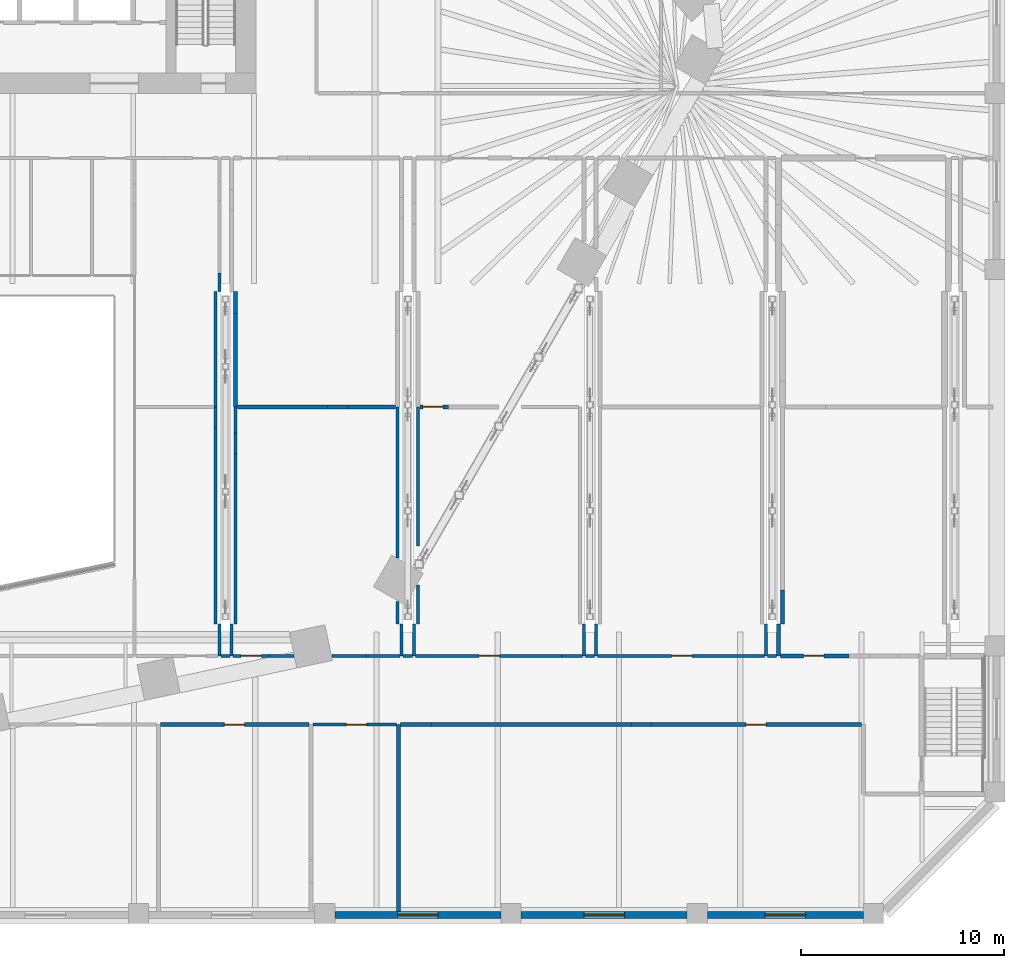
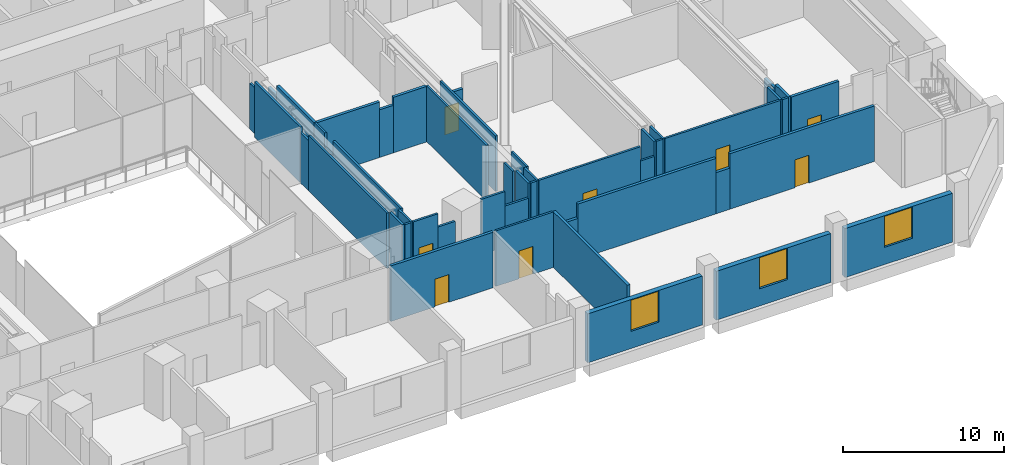
# One storey, part 19 of 32: 48 walls, 8 doors, 3 windows, 11 openings.
"""IFC4 building model written with IfcOpenShell, lengths in metres."""

from ifc_helpers import new_model, si_unit, direction, frame, frame_2d, origin, place, context, subcontext, project, spatial, rectangle, extrude, material, layer, layer_set, type_object, element, fill, save


model = new_model("IFC4")

# Units and contexts
model_context = context("Model", 3, precision=1e-05, world=origin(), true_north=direction((0.0, 1.0)))
body_context = subcontext(model_context, "Body", "Model", "MODEL_VIEW")
ifc_project = project(units=[si_unit("LENGTHUNIT", "METRE"), si_unit("AREAUNIT", "SQUARE_METRE"), si_unit("VOLUMEUNIT", "CUBIC_METRE"), si_unit("PLANEANGLEUNIT", "RADIAN"), si_unit("MASSUNIT", "GRAM", prefix="KILO")], contexts=[model_context])

# Site, building, storey
site_placement = place(None, origin())
site = spatial("IfcSite", under=ifc_project, at=site_placement, CompositionType="ELEMENT")
building_placement = place(site_placement, origin())
building = spatial("IfcBuilding", under=site, at=building_placement, Name="Isthmus Gate Tower", CompositionType="ELEMENT")
storey_placement = place(building_placement, frame((0.0, 0.0, 18.0)))
storey = spatial("IfcBuildingStorey", under=building, at=storey_placement, Name="L02", CompositionType="ELEMENT", Elevation=18.0)

# Wall, opening, door
ifc_material_1 = material(Name="Concrete f'c 30 MPa", Category="concrete")
ifc_layer_1 = layer(ifc_material_1, 0.199951171875)
ifc_layer_set_1 = layer_set([ifc_layer_1], Name="Fire-rated block wall 200")
wall_type_1 = type_object("IfcWallType", Name="Fire-rated block wall 200", PredefinedType="PARTITIONING", material=ifc_layer_set_1)
wall_1_placement = place(storey_placement, frame((10.2919921875, -31.178955078125, 0.0), z_axis=(0.0, 0.0, 1.0), x_axis=(1.0, 0.0, 0.0)))
wall_1 = element("IfcWall", 1, at=wall_1_placement, inside=storey, type_object=wall_type_1, Name="Fire-rated wall", PredefinedType="PARTITIONING", context=body_context, shape_type="SweptSolid", body=[
    extrude(rectangle(XDim=7.322021484375, YDim=0.199951171875, at=frame_2d((3.6611328125, 0.0))), origin(), (0.0, 0.0, 1.0), 4.199951171875),
])
opening_1_placement = place(wall_1_placement, frame((3.14990234375, 0.0, 0.0)))
opening_1 = element("IfcOpeningElement", 2, at=opening_1_placement, cuts=wall_1, Name="Opening DP02-56", PredefinedType="OPENING", context=body_context, shape_type="SweptSolid", body=[
    extrude(rectangle(XDim=1.0, YDim=2.10009765625, at=frame_2d((0.5, 1.050048828125))), frame((0.0, 0.10986328125, 0.0), z_axis=(0.0, -1.0, 0.0), x_axis=(1.0, 0.0, 0.0)), (0.0, 0.0, 1.0), 0.219970703125),
])
ifc_material_2 = material(Name="Steel fire door with intumescent seals", Category="steel")
door_type_1 = type_object("IfcDoorType", Name="Fire door 1000 x 2100", OperationType="SINGLE_SWING_LEFT", PredefinedType="DOOR", material=ifc_material_2)
door_1_placement = place(opening_1_placement, origin())
door_1 = element("IfcDoor", 3, at=door_1_placement, inside=storey, type_object=door_type_1, Name="Door DP02-56", OperationType="SINGLE_SWING_LEFT", OverallHeight=2.10009765625, OverallWidth=1.0, PredefinedType="DOOR", context=body_context, shape_type="SweptSolid", body=[
    extrude(rectangle(XDim=1.0, YDim=2.10009765625, at=frame_2d((0.5, 1.050048828125))), frame((0.0, 0.02490234375, 0.0), z_axis=(0.0, -1.0, 0.0), x_axis=(1.0, 0.0, 0.0)), (0.0, 0.0, 1.0), 0.050048828125),
])
fill(opening_1, door_1)

# Walls
wall_2_placement = place(storey_placement, frame((22.132080078125, -31.178955078125, 0.0), z_axis=(0.0, 0.0, 1.0), x_axis=(1.0, 0.0, 0.0)))
element("IfcWall", 4, at=wall_2_placement, inside=storey, type_object=wall_type_1, Name="Fire-rated wall", PredefinedType="PARTITIONING", context=body_context, shape_type="SweptSolid", body=[
    extrude(rectangle(XDim=1.536865234375, YDim=0.199951171875, at=frame_2d((0.7685546875, 0.0))), origin(), (0.0, 0.0, 1.0), 3.111083984375),
])
wall_3_placement = place(storey_placement, frame((23.6689453125, -31.178955078125, 0.0), z_axis=(0.0, 0.0, 1.0), x_axis=(1.0, 0.0, 0.0)))
element("IfcWall", 5, at=wall_3_placement, inside=storey, type_object=wall_type_1, Name="Fire-rated wall", PredefinedType="PARTITIONING", context=body_context, shape_type="SweptSolid", body=[
    extrude(rectangle(XDim=9.872802734375, YDim=0.199951171875, at=frame_2d((4.9365234375, 0.0))), origin(), (0.0, 0.0, 1.0), 4.199951171875),
])
wall_4_placement = place(storey_placement, frame((33.541748046875, -31.178955078125, 0.0), z_axis=(0.0, 0.0, 1.0), x_axis=(1.0, 0.0, 0.0)))
element("IfcWall", 6, at=wall_4_placement, inside=storey, type_object=wall_type_1, Name="Fire-rated wall", PredefinedType="PARTITIONING", context=body_context, shape_type="SweptSolid", body=[
    extrude(rectangle(XDim=1.0, YDim=0.199951171875, at=frame_2d((0.5, 0.0))), origin(), (0.0, 0.0, 1.0), 3.111083984375),
])

# Wall, opening, door
wall_5_placement = place(storey_placement, frame((34.541748046875, -31.178955078125, 0.0), z_axis=(0.0, 0.0, 1.0), x_axis=(1.0, 0.0, 0.0)))
wall_5 = element("IfcWall", 7, at=wall_5_placement, inside=storey, type_object=wall_type_1, Name="Fire-rated wall", PredefinedType="PARTITIONING", context=body_context, shape_type="SweptSolid", body=[
    extrude(rectangle(XDim=10.358154296875, YDim=0.199951171875, at=frame_2d((5.17919921875, 0.0))), origin(), (0.0, 0.0, 1.0), 4.199951171875),
])
opening_2_placement = place(wall_5_placement, frame((4.64990234375, 0.0, 0.0)))
opening_2 = element("IfcOpeningElement", 8, at=opening_2_placement, cuts=wall_5, Name="Opening DP02-58", PredefinedType="OPENING", context=body_context, shape_type="SweptSolid", body=[
    extrude(rectangle(XDim=1.0, YDim=2.10009765625, at=frame_2d((0.5, 1.050048828125))), frame((0.0, 0.10986328125, 0.0), z_axis=(0.0, -1.0, 0.0), x_axis=(1.0, 0.0, 0.0)), (0.0, 0.0, 1.0), 0.219970703125),
])
door_2_placement = place(opening_2_placement, origin())
door_2 = element("IfcDoor", 9, at=door_2_placement, inside=storey, type_object=door_type_1, Name="Door DP02-58", OperationType="SINGLE_SWING_LEFT", OverallHeight=2.10009765625, OverallWidth=1.0, PredefinedType="DOOR", context=body_context, shape_type="SweptSolid", body=[
    extrude(rectangle(XDim=1.0, YDim=2.10009765625, at=frame_2d((0.5, 1.050048828125))), frame((0.0, 0.02490234375, 0.0), z_axis=(0.0, -1.0, 0.0), x_axis=(1.0, 0.0, 0.0)), (0.0, 0.0, 1.0), 0.050048828125),
])
fill(opening_2, door_2)

wall_6_placement = place(storey_placement, frame((40.89990234375, -27.779052734375, 0.0), z_axis=(0.0, 0.0, 1.0), x_axis=(1.0, 0.0, 0.0)))
wall_6 = element("IfcWall", 10, at=wall_6_placement, inside=storey, type_object=wall_type_1, Name="Fire-rated wall", PredefinedType="PARTITIONING", context=body_context, shape_type="SweptSolid", body=[
    extrude(rectangle(XDim=3.39990234375, YDim=0.199951171875, at=frame_2d((1.699951171875, 0.0))), origin(), (0.0, 0.0, 1.0), 4.199951171875),
])
opening_3_placement = place(wall_6_placement, frame((1.14990234375, 0.0, 0.0)))
opening_3 = element("IfcOpeningElement", 11, at=opening_3_placement, cuts=wall_6, Name="Opening DP02-35", PredefinedType="OPENING", context=body_context, shape_type="SweptSolid", body=[
    extrude(rectangle(XDim=1.0, YDim=2.10009765625, at=frame_2d((0.5, 1.050048828125))), frame((0.0, 0.10986328125, 0.0), z_axis=(0.0, -1.0, 0.0), x_axis=(1.0, 0.0, 0.0)), (0.0, 0.0, 1.0), 0.219970703125),
])
door_3_placement = place(opening_3_placement, origin())
door_3 = element("IfcDoor", 12, at=door_3_placement, inside=storey, type_object=door_type_1, Name="Door DP02-35", OperationType="SINGLE_SWING_LEFT", OverallHeight=2.10009765625, OverallWidth=1.0, PredefinedType="DOOR", context=body_context, shape_type="SweptSolid", body=[
    extrude(rectangle(XDim=1.0, YDim=2.10009765625, at=frame_2d((0.5, 1.050048828125))), frame((0.0, 0.02490234375, 0.0), z_axis=(0.0, -1.0, 0.0), x_axis=(1.0, 0.0, 0.0)), (0.0, 0.0, 1.0), 0.050048828125),
])
fill(opening_3, door_3)

# Walls
wall_7_placement = place(storey_placement, frame((14.10009765625, -15.489013671875, 0.0), z_axis=(0.0, 0.0, 1.0), x_axis=(1.0, 0.0, 0.0)))
element("IfcWall", 13, at=wall_7_placement, inside=storey, type_object=wall_type_1, Name="Fire-rated wall", PredefinedType="PARTITIONING", context=body_context, shape_type="SweptSolid", body=[
    extrude(rectangle(XDim=4.4404296875, YDim=0.199951171875, at=frame_2d((2.22021484375, 0.0))), origin(), (0.0, 0.0, 1.0), 4.199951171875),
])
wall_8_placement = place(storey_placement, frame((18.54052734375, -15.489013671875, 0.0), z_axis=(0.0, 0.0, 1.0), x_axis=(1.0, 0.0, 0.0)))
element("IfcWall", 14, at=wall_8_placement, inside=storey, type_object=wall_type_1, Name="Fire-rated wall", PredefinedType="PARTITIONING", context=body_context, shape_type="SweptSolid", body=[
    extrude(rectangle(XDim=1.0, YDim=0.199951171875, at=frame_2d((0.5, 0.0))), origin(), (0.0, 0.0, 1.0), 3.599853515625),
])
wall_9_placement = place(storey_placement, frame((19.54052734375, -15.489013671875, 0.0), z_axis=(0.0, 0.0, 1.0), x_axis=(1.0, 0.0, 0.0)))
element("IfcWall", 15, at=wall_9_placement, inside=storey, type_object=wall_type_1, Name="Fire-rated wall", PredefinedType="PARTITIONING", context=body_context, shape_type="SweptSolid", body=[
    extrude(rectangle(XDim=2.359375, YDim=0.199951171875, at=frame_2d((1.1796875, 0.0))), origin(), (0.0, 0.0, 1.0), 4.199951171875),
])

# Wall, opening, door
wall_10_placement = place(storey_placement, frame((23.10009765625, -15.489013671875, 0.0), z_axis=(0.0, 0.0, 1.0), x_axis=(1.0, 0.0, 0.0)))
wall_10 = element("IfcWall", 16, at=wall_10_placement, inside=storey, type_object=wall_type_1, Name="Fire-rated wall", PredefinedType="PARTITIONING", context=body_context, shape_type="SweptSolid", body=[
    extrude(rectangle(XDim=1.39990234375, YDim=0.199951171875, at=frame_2d((0.699951171875, 0.0))), origin(), (0.0, 0.0, 1.0), 3.111083984375),
])
opening_4_placement = place(wall_10_placement, frame((0.14990234375, 0.0, 0.0)))
opening_4 = element("IfcOpeningElement", 17, at=opening_4_placement, cuts=wall_10, Name="Opening DP02-61", PredefinedType="OPENING", context=body_context, shape_type="SweptSolid", body=[
    extrude(rectangle(XDim=1.0, YDim=2.10009765625, at=frame_2d((0.5, 1.050048828125))), frame((0.0, 0.10986328125, 0.0), z_axis=(0.0, -1.0, 0.0), x_axis=(1.0, 0.0, 0.0)), (0.0, 0.0, 1.0), 0.219970703125),
])
door_4_placement = place(opening_4_placement, origin())
door_4 = element("IfcDoor", 18, at=door_4_placement, inside=storey, type_object=door_type_1, Name="Door DP02-61", OperationType="SINGLE_SWING_LEFT", OverallHeight=2.10009765625, OverallWidth=1.0, PredefinedType="DOOR", context=body_context, shape_type="SweptSolid", body=[
    extrude(rectangle(XDim=1.0, YDim=2.10009765625, at=frame_2d((0.5, 1.050048828125))), frame((0.0, 0.02490234375, 0.0), z_axis=(0.0, -1.0, 0.0), x_axis=(1.0, 0.0, 0.0)), (0.0, 0.0, 1.0), 0.050048828125),
])
fill(opening_4, door_4)

# Walls
wall_11_placement = place(storey_placement, frame((14.0, -15.488525390625, 0.0), z_axis=(0.0, 0.0, 1.0), x_axis=(0.0, 1.0, 0.0)))
element("IfcWall", 19, at=wall_11_placement, inside=storey, type_object=wall_type_1, Name="Fire-rated wall", PredefinedType="PARTITIONING", context=body_context, shape_type="SweptSolid", body=[
    extrude(rectangle(XDim=4.60693359375, YDim=0.199951171875, at=frame_2d((2.303466796875, 0.0))), origin(), (0.0, 0.0, 1.0), 4.199951171875),
])
wall_12_placement = place(storey_placement, frame((14.0, -10.881591796875, 0.0), z_axis=(0.0, 0.0, 1.0), x_axis=(0.0, 1.0, 0.0)))
element("IfcWall", 20, at=wall_12_placement, inside=storey, type_object=wall_type_1, Name="Fire-rated wall", PredefinedType="PARTITIONING", context=body_context, shape_type="SweptSolid", body=[
    extrude(rectangle(XDim=1.08154296875, YDim=0.199951171875, at=frame_2d((0.540771484375, 0.0))), origin(), (0.0, 0.0, 1.0), 3.45068359375),
])
wall_13_placement = place(storey_placement, frame((22.031982421875, -40.39990234375, 0.0), z_axis=(0.0, 0.0, 1.0), x_axis=(0.0, 1.0, 0.0)))
element("IfcWall", 21, at=wall_13_placement, inside=storey, type_object=wall_type_1, Name="Fire-rated wall", PredefinedType="PARTITIONING", context=body_context, shape_type="SweptSolid", body=[
    extrude(rectangle(XDim=9.220947265625, YDim=0.199951171875, at=frame_2d((4.6103515625, 0.0))), origin(), (0.0, 0.0, 1.0), 4.199951171875),
])
wall_14_placement = place(storey_placement, frame((40.800048828125, -27.778076171875, 0.0), z_axis=(0.0, 0.0, 1.0), x_axis=(0.0, 1.0, 0.0)))
element("IfcWall", 22, at=wall_14_placement, inside=storey, type_object=wall_type_1, Name="Fire-rated wall", PredefinedType="PARTITIONING", context=body_context, shape_type="SweptSolid", body=[
    extrude(rectangle(XDim=1.578125, YDim=0.199951171875, at=frame_2d((0.7890625, 0.0))), origin(), (0.0, 0.0, 1.0), 4.199951171875),
])
wall_15_placement = place(storey_placement, frame((41.0, -26.199951171875, 0.0), z_axis=(0.0, 0.0, 1.0), x_axis=(0.0, 1.0, 0.0)))
element("IfcWall", 23, at=wall_15_placement, inside=storey, type_object=wall_type_1, Name="Fire-rated wall", PredefinedType="PARTITIONING", context=body_context, shape_type="SweptSolid", body=[
    extrude(rectangle(XDim=1.681640625, YDim=0.199951171875, at=frame_2d((0.8408203125, 0.0))), origin(), (0.0, 0.0, 1.0), 3.5966796875),
])

# Wall, opening, window
ifc_material_3 = material(Name="Precast concrete C40/50, limestone-faced", Category="masonry")
ifc_layer_2 = layer(ifc_material_3, 0.35009765625)
ifc_layer_set_2 = layer_set([ifc_layer_2], Name="PODIUM CLADDING WALL 350")
wall_type_2 = type_object("IfcWallType", Name="PODIUM CLADDING WALL 350", PredefinedType="SOLIDWALL", material=ifc_layer_set_2)
wall_16_placement = place(storey_placement, frame((18.89990234375, -40.574951171875, -0.39990234375), z_axis=(0.0, 0.0, 1.0), x_axis=(1.0, 0.0, 0.0)))
wall_16 = element("IfcWall", 24, at=wall_16_placement, inside=storey, type_object=wall_type_2, Name="PODIUM WALL", PredefinedType="SOLIDWALL", context=body_context, shape_type="SweptSolid", body=[
    extrude(rectangle(XDim=8.2001953125, YDim=0.35009765625, at=frame_2d((4.10009765625, 0.0))), origin(), (0.0, 0.0, 1.0), 3.699951171875),
])
opening_5_placement = place(wall_16_placement, frame((3.10009765625, 0.0, 1.300048828125)))
opening_5 = element("IfcOpeningElement", 25, at=opening_5_placement, cuts=wall_16, Name="Opening W008", PredefinedType="OPENING", context=body_context, shape_type="SweptSolid", body=[
    extrude(rectangle(XDim=2.0, YDim=2.35009765625, at=frame_2d((1.0, 1.175048828125))), frame((0.0, 0.18505859375, 0.0), z_axis=(0.0, -1.0, 0.0), x_axis=(1.0, 0.0, 0.0)), (0.0, 0.0, 1.0), 0.3701171875),
])
ifc_material_4 = material(Name="Aluminium, pale champagne anodised, laminated glass", Category="aluminium")
window_type = type_object("IfcWindowType", Name="PODIUM SLOT WINDOW 2000 X 2350", PartitioningType="SINGLE_PANEL", PredefinedType="WINDOW", material=ifc_material_4)
window_1_placement = place(opening_5_placement, origin())
window_1 = element("IfcWindow", 26, at=window_1_placement, inside=storey, type_object=window_type, Name="SLOT WINDOW", OverallHeight=2.35009765625, OverallWidth=2.0, PartitioningType="SINGLE_PANEL", PredefinedType="WINDOW", context=body_context, shape_type="SweptSolid", body=[
    extrude(rectangle(XDim=2.0, YDim=2.35009765625, at=frame_2d((1.0, 1.175048828125))), frame((0.0, 0.030029296875, 0.0), z_axis=(0.0, -1.0, 0.0), x_axis=(1.0, 0.0, 0.0)), (0.0, 0.0, 1.0), 0.06005859375),
])
fill(opening_5, window_1)

wall_17_placement = place(storey_placement, frame((28.10009765625, -40.574951171875, -0.39990234375), z_axis=(0.0, 0.0, 1.0), x_axis=(1.0, 0.0, 0.0)))
wall_17 = element("IfcWall", 27, at=wall_17_placement, inside=storey, type_object=wall_type_2, Name="PODIUM WALL", PredefinedType="SOLIDWALL", context=body_context, shape_type="SweptSolid", body=[
    extrude(rectangle(XDim=8.199951171875, YDim=0.35009765625, at=frame_2d((4.10009765625, 0.0))), origin(), (0.0, 0.0, 1.0), 3.699951171875),
])
opening_6_placement = place(wall_17_placement, frame((3.10009765625, 0.0, 1.300048828125)))
opening_6 = element("IfcOpeningElement", 28, at=opening_6_placement, cuts=wall_17, Name="Opening W009", PredefinedType="OPENING", context=body_context, shape_type="SweptSolid", body=[
    extrude(rectangle(XDim=2.0, YDim=2.35009765625, at=frame_2d((1.0, 1.175048828125))), frame((0.0, 0.18505859375, 0.0), z_axis=(0.0, -1.0, 0.0), x_axis=(1.0, 0.0, 0.0)), (0.0, 0.0, 1.0), 0.3701171875),
])
window_2_placement = place(opening_6_placement, origin())
window_2 = element("IfcWindow", 29, at=window_2_placement, inside=storey, type_object=window_type, Name="SLOT WINDOW", OverallHeight=2.35009765625, OverallWidth=2.0, PartitioningType="SINGLE_PANEL", PredefinedType="WINDOW", context=body_context, shape_type="SweptSolid", body=[
    extrude(rectangle(XDim=2.0, YDim=2.35009765625, at=frame_2d((1.0, 1.175048828125))), frame((0.0, 0.030029296875, 0.0), z_axis=(0.0, -1.0, 0.0), x_axis=(1.0, 0.0, 0.0)), (0.0, 0.0, 1.0), 0.06005859375),
])
fill(opening_6, window_2)

wall_18_placement = place(storey_placement, frame((37.300048828125, -40.574951171875, -0.39990234375), z_axis=(0.0, 0.0, 1.0), x_axis=(1.0, 0.0, 0.0)))
wall_18 = element("IfcWall", 30, at=wall_18_placement, inside=storey, type_object=wall_type_2, Name="PODIUM WALL", PredefinedType="SOLIDWALL", context=body_context, shape_type="SweptSolid", body=[
    extrude(rectangle(XDim=7.699951171875, YDim=0.35009765625, at=frame_2d((3.85009765625, 0.0))), origin(), (0.0, 0.0, 1.0), 3.699951171875),
])
opening_7_placement = place(wall_18_placement, frame((2.85009765625, 0.0, 1.300048828125)))
opening_7 = element("IfcOpeningElement", 31, at=opening_7_placement, cuts=wall_18, Name="Opening W010", PredefinedType="OPENING", context=body_context, shape_type="SweptSolid", body=[
    extrude(rectangle(XDim=2.0, YDim=2.35009765625, at=frame_2d((1.0, 1.175048828125))), frame((0.0, 0.18505859375, 0.0), z_axis=(0.0, -1.0, 0.0), x_axis=(1.0, 0.0, 0.0)), (0.0, 0.0, 1.0), 0.3701171875),
])
window_3_placement = place(opening_7_placement, origin())
window_3 = element("IfcWindow", 32, at=window_3_placement, inside=storey, type_object=window_type, Name="SLOT WINDOW", OverallHeight=2.35009765625, OverallWidth=2.0, PartitioningType="SINGLE_PANEL", PredefinedType="WINDOW", context=body_context, shape_type="SweptSolid", body=[
    extrude(rectangle(XDim=2.0, YDim=2.35009765625, at=frame_2d((1.0, 1.175048828125))), frame((0.0, 0.030029296875, 0.0), z_axis=(0.0, -1.0, 0.0), x_axis=(1.0, 0.0, 0.0)), (0.0, 0.0, 1.0), 0.06005859375),
])
fill(opening_7, window_3)

# Wall, opening, door
ifc_material_5 = material(Name="Gypsum board on cold-formed steel studs", Category="steel")
ifc_layer_3 = layer(ifc_material_5, 0.14990234375)
ifc_layer_set_3 = layer_set([ifc_layer_3])
wall_type_3 = type_object("IfcWallType", Name="Partition 150 gypsum board on steel studs", PredefinedType="PARTITIONING", material=ifc_layer_set_3)
wall_19_placement = place(storey_placement, frame((17.81396484375, -31.178955078125, 0.0), z_axis=(0.0, 0.0, 1.0), x_axis=(1.0, 0.0, 0.0)))
wall_19 = element("IfcWall", 33, at=wall_19_placement, inside=storey, type_object=wall_type_3, Name="Partition", PredefinedType="PARTITIONING", context=body_context, shape_type="SweptSolid", body=[
    extrude(rectangle(XDim=4.117919921875, YDim=0.14990234375, at=frame_2d((2.05908203125, 0.0))), origin(), (0.0, 0.0, 1.0), 4.199951171875),
])
opening_8_placement = place(wall_19_placement, frame((1.64990234375, 0.0, 0.0)))
opening_8 = element("IfcOpeningElement", 34, at=opening_8_placement, cuts=wall_19, Name="Opening DP02-57", PredefinedType="OPENING", context=body_context, shape_type="SweptSolid", body=[
    extrude(rectangle(XDim=1.0, YDim=2.10009765625, at=frame_2d((0.5, 1.050048828125))), frame((0.0, 0.0849609375, 0.0), z_axis=(0.0, -1.0, 0.0), x_axis=(1.0, 0.0, 0.0)), (0.0, 0.0, 1.0), 0.169921875),
])
ifc_material_6 = material(Name="Hollow metal frame with solid-core timber leaf", Category="wood")
door_type_2 = type_object("IfcDoorType", Name="Single swing door 1000 x 2100", OperationType="SINGLE_SWING_LEFT", PredefinedType="DOOR", material=ifc_material_6)
door_5_placement = place(opening_8_placement, origin())
door_5 = element("IfcDoor", 35, at=door_5_placement, inside=storey, type_object=door_type_2, Name="Door DP02-57", OperationType="SINGLE_SWING_LEFT", OverallHeight=2.10009765625, OverallWidth=1.0, PredefinedType="DOOR", context=body_context, shape_type="SweptSolid", body=[
    extrude(rectangle(XDim=1.0, YDim=2.10009765625, at=frame_2d((0.5, 1.050048828125))), frame((0.0, 0.02490234375, 0.0), z_axis=(0.0, -1.0, 0.0), x_axis=(1.0, 0.0, 0.0)), (0.0, 0.0, 1.0), 0.050048828125),
])
fill(opening_8, door_5)

# Wall
wall_20_placement = place(storey_placement, frame((13.27490234375, -27.779052734375, 0.0), z_axis=(0.0, 0.0, 1.0), x_axis=(1.0, 0.0, 0.0)))
element("IfcWall", 36, at=wall_20_placement, inside=storey, type_object=wall_type_3, Name="Partition", PredefinedType="PARTITIONING", context=body_context, shape_type="SweptSolid", body=[
    extrude(rectangle(XDim=0.4501953125, YDim=0.14990234375, at=frame_2d((0.22509765625, 0.0))), origin(), (0.0, 0.0, 1.0), 4.199951171875),
])

# Wall, opening, door
wall_21_placement = place(storey_placement, frame((13.875, -27.779052734375, 0.0), z_axis=(0.0, 0.0, 1.0), x_axis=(1.0, 0.0, 0.0)))
wall_21 = element("IfcWall", 37, at=wall_21_placement, inside=storey, type_object=wall_type_3, Name="Partition", PredefinedType="PARTITIONING", context=body_context, shape_type="SweptSolid", body=[
    extrude(rectangle(XDim=1.774658203125, YDim=0.14990234375, at=frame_2d((0.88720703125, 0.0))), origin(), (0.0, 0.0, 1.0), 4.199951171875),
])
opening_9_placement = place(wall_21_placement, frame((0.39990234375, 0.0, 0.0)))
opening_9 = element("IfcOpeningElement", 38, at=opening_9_placement, cuts=wall_21, Name="Opening DP02-32", PredefinedType="OPENING", context=body_context, shape_type="SweptSolid", body=[
    extrude(rectangle(XDim=1.0, YDim=2.10009765625, at=frame_2d((0.5, 1.050048828125))), frame((0.0, 0.0849609375, 0.0), z_axis=(0.0, -1.0, 0.0), x_axis=(1.0, 0.0, 0.0)), (0.0, 0.0, 1.0), 0.169921875),
])
door_6_placement = place(opening_9_placement, origin())
door_6 = element("IfcDoor", 39, at=door_6_placement, inside=storey, type_object=door_type_2, Name="Door DP02-32", OperationType="SINGLE_SWING_LEFT", OverallHeight=2.10009765625, OverallWidth=1.0, PredefinedType="DOOR", context=body_context, shape_type="SweptSolid", body=[
    extrude(rectangle(XDim=1.0, YDim=2.10009765625, at=frame_2d((0.5, 1.050048828125))), frame((0.0, 0.02490234375, 0.0), z_axis=(0.0, -1.0, 0.0), x_axis=(1.0, 0.0, 0.0)), (0.0, 0.0, 1.0), 0.050048828125),
])
fill(opening_9, door_6)

# Walls
wall_22_placement = place(storey_placement, frame((15.649658203125, -27.779052734375, 0.0), z_axis=(0.0, 0.0, 1.0), x_axis=(1.0, 0.0, 0.0)))
element("IfcWall", 40, at=wall_22_placement, inside=storey, type_object=wall_type_3, Name="Partition", PredefinedType="PARTITIONING", context=body_context, shape_type="SweptSolid", body=[
    extrude(rectangle(XDim=1.2265625, YDim=0.14990234375, at=frame_2d((0.61328125, 0.0))), origin(), (0.0, 0.0, 1.0), 3.199951171875),
])
wall_23_placement = place(storey_placement, frame((18.748291015625, -27.779052734375, 0.0), z_axis=(0.0, 0.0, 1.0), x_axis=(1.0, 0.0, 0.0)))
element("IfcWall", 41, at=wall_23_placement, inside=storey, type_object=wall_type_3, Name="Partition", PredefinedType="PARTITIONING", context=body_context, shape_type="SweptSolid", body=[
    extrude(rectangle(XDim=1.67626953125, YDim=0.14990234375, at=frame_2d((0.838134765625, 0.0))), origin(), (0.0, 0.0, 1.0), 4.199951171875),
])
wall_24_placement = place(storey_placement, frame((20.424560546875, -27.779052734375, 0.0), z_axis=(0.0, 0.0, 1.0), x_axis=(1.0, 0.0, 0.0)))
element("IfcWall", 42, at=wall_24_placement, inside=storey, type_object=wall_type_3, Name="Partition", PredefinedType="PARTITIONING", context=body_context, shape_type="SweptSolid", body=[
    extrude(rectangle(XDim=1.700439453125, YDim=0.14990234375, at=frame_2d((0.85009765625, 0.0))), origin(), (0.0, 0.0, 1.0), 3.111083984375),
])
wall_25_placement = place(storey_placement, frame((22.27490234375, -27.779052734375, 0.0), z_axis=(0.0, 0.0, 1.0), x_axis=(1.0, 0.0, 0.0)))
element("IfcWall", 43, at=wall_25_placement, inside=storey, type_object=wall_type_3, Name="Partition", PredefinedType="PARTITIONING", context=body_context, shape_type="SweptSolid", body=[
    extrude(rectangle(XDim=0.4501953125, YDim=0.14990234375, at=frame_2d((0.22509765625, 0.0))), origin(), (0.0, 0.0, 1.0), 4.199951171875),
])

# Wall, opening, door
wall_26_placement = place(storey_placement, frame((22.875, -27.779052734375, 0.0), z_axis=(0.0, 0.0, 1.0), x_axis=(1.0, 0.0, 0.0)))
wall_26 = element("IfcWall", 44, at=wall_26_placement, inside=storey, type_object=wall_type_3, Name="Partition", PredefinedType="PARTITIONING", context=body_context, shape_type="SweptSolid", body=[
    extrude(rectangle(XDim=7.25, YDim=0.14990234375, at=frame_2d((3.625, 0.0))), origin(), (0.0, 0.0, 1.0), 4.199951171875),
])
opening_10_placement = place(wall_26_placement, frame((3.14990234375, 0.0, 0.0)))
opening_10 = element("IfcOpeningElement", 45, at=opening_10_placement, cuts=wall_26, Name="Opening DP02-33", PredefinedType="OPENING", context=body_context, shape_type="SweptSolid", body=[
    extrude(rectangle(XDim=1.0, YDim=2.10009765625, at=frame_2d((0.5, 1.050048828125))), frame((0.0, 0.0849609375, 0.0), z_axis=(0.0, -1.0, 0.0), x_axis=(1.0, 0.0, 0.0)), (0.0, 0.0, 1.0), 0.169921875),
])
door_7_placement = place(opening_10_placement, origin())
door_7 = element("IfcDoor", 46, at=door_7_placement, inside=storey, type_object=door_type_2, Name="Door DP02-33", OperationType="SINGLE_SWING_LEFT", OverallHeight=2.10009765625, OverallWidth=1.0, PredefinedType="DOOR", context=body_context, shape_type="SweptSolid", body=[
    extrude(rectangle(XDim=1.0, YDim=2.10009765625, at=frame_2d((0.5, 1.050048828125))), frame((0.0, 0.02490234375, 0.0), z_axis=(0.0, -1.0, 0.0), x_axis=(1.0, 0.0, 0.0)), (0.0, 0.0, 1.0), 0.050048828125),
])
fill(opening_10, door_7)

# Walls
wall_27_placement = place(storey_placement, frame((30.125, -27.779052734375, 0.0), z_axis=(0.0, 0.0, 1.0), x_axis=(1.0, 0.0, 0.0)))
element("IfcWall", 47, at=wall_27_placement, inside=storey, type_object=wall_type_3, Name="Partition", PredefinedType="PARTITIONING", context=body_context, shape_type="SweptSolid", body=[
    extrude(rectangle(XDim=1.0, YDim=0.14990234375, at=frame_2d((0.5, 0.0))), origin(), (0.0, 0.0, 1.0), 3.111083984375),
])
wall_28_placement = place(storey_placement, frame((31.27490234375, -27.779052734375, 0.0), z_axis=(0.0, 0.0, 1.0), x_axis=(1.0, 0.0, 0.0)))
element("IfcWall", 48, at=wall_28_placement, inside=storey, type_object=wall_type_3, Name="Partition", PredefinedType="PARTITIONING", context=body_context, shape_type="SweptSolid", body=[
    extrude(rectangle(XDim=0.4501953125, YDim=0.14990234375, at=frame_2d((0.22509765625, 0.0))), origin(), (0.0, 0.0, 1.0), 4.199951171875),
])

# Wall, opening, door
wall_29_placement = place(storey_placement, frame((31.875, -27.779052734375, 0.0), z_axis=(0.0, 0.0, 1.0), x_axis=(1.0, 0.0, 0.0)))
wall_29 = element("IfcWall", 49, at=wall_29_placement, inside=storey, type_object=wall_type_3, Name="Partition", PredefinedType="PARTITIONING", context=body_context, shape_type="SweptSolid", body=[
    extrude(rectangle(XDim=8.25, YDim=0.14990234375, at=frame_2d((4.125, 0.0))), origin(), (0.0, 0.0, 1.0), 4.199951171875),
])
opening_11_placement = place(wall_29_placement, frame((3.64990234375, 0.0, 0.0)))
opening_11 = element("IfcOpeningElement", 50, at=opening_11_placement, cuts=wall_29, Name="Opening DP02-34", PredefinedType="OPENING", context=body_context, shape_type="SweptSolid", body=[
    extrude(rectangle(XDim=1.0, YDim=2.10009765625, at=frame_2d((0.5, 1.050048828125))), frame((0.0, 0.0849609375, 0.0), z_axis=(0.0, -1.0, 0.0), x_axis=(1.0, 0.0, 0.0)), (0.0, 0.0, 1.0), 0.169921875),
])
door_8_placement = place(opening_11_placement, origin())
door_8 = element("IfcDoor", 51, at=door_8_placement, inside=storey, type_object=door_type_2, Name="Door DP02-34", OperationType="SINGLE_SWING_LEFT", OverallHeight=2.10009765625, OverallWidth=1.0, PredefinedType="DOOR", context=body_context, shape_type="SweptSolid", body=[
    extrude(rectangle(XDim=1.0, YDim=2.10009765625, at=frame_2d((0.5, 1.050048828125))), frame((0.0, 0.02490234375, 0.0), z_axis=(0.0, -1.0, 0.0), x_axis=(1.0, 0.0, 0.0)), (0.0, 0.0, 1.0), 0.050048828125),
])
fill(opening_11, door_8)

# Walls
wall_30_placement = place(storey_placement, frame((40.27490234375, -27.779052734375, 0.0), z_axis=(0.0, 0.0, 1.0), x_axis=(1.0, 0.0, 0.0)))
element("IfcWall", 52, at=wall_30_placement, inside=storey, type_object=wall_type_3, Name="Partition", PredefinedType="PARTITIONING", context=body_context, shape_type="SweptSolid", body=[
    extrude(rectangle(XDim=0.425048828125, YDim=0.14990234375, at=frame_2d((0.21240234375, 0.0))), origin(), (0.0, 0.0, 1.0), 4.199951171875),
])
wall_31_placement = place(storey_placement, frame((13.0, -26.199951171875, 0.0), z_axis=(0.0, 0.0, 1.0), x_axis=(0.0, 1.0, 0.0)))
element("IfcWall", 53, at=wall_31_placement, inside=storey, type_object=wall_type_3, Name="Partition", PredefinedType="PARTITIONING", context=body_context, shape_type="SweptSolid", body=[
    extrude(rectangle(XDim=9.68896484375, YDim=0.14990234375, at=frame_2d((4.844482421875, 0.0))), origin(), (0.0, 0.0, 1.0), 4.199951171875),
])
wall_32_placement = place(storey_placement, frame((13.0, -16.510986328125, 0.0), z_axis=(0.0, 0.0, 1.0), x_axis=(0.0, 1.0, 0.0)))
element("IfcWall", 54, at=wall_32_placement, inside=storey, type_object=wall_type_3, Name="Partition", PredefinedType="PARTITIONING", context=body_context, shape_type="SweptSolid", body=[
    extrude(rectangle(XDim=1.0205078125, YDim=0.14990234375, at=frame_2d((0.51025390625, 0.0))), origin(), (0.0, 0.0, 1.0), 3.796875),
])
wall_33_placement = place(storey_placement, frame((13.0, -15.488525390625, 0.0), z_axis=(0.0, 0.0, 1.0), x_axis=(0.0, 1.0, 0.0)))
element("IfcWall", 55, at=wall_33_placement, inside=storey, type_object=wall_type_3, Name="Partition", PredefinedType="PARTITIONING", context=body_context, shape_type="SweptSolid", body=[
    extrude(rectangle(XDim=5.6884765625, YDim=0.14990234375, at=frame_2d((2.84423828125, 0.0))), origin(), (0.0, 0.0, 1.0), 4.199951171875),
])
wall_34_placement = place(storey_placement, frame((13.199951171875, -27.778076171875, 0.0), z_axis=(0.0, 0.0, 1.0), x_axis=(0.0, 1.0, 0.0)))
element("IfcWall", 56, at=wall_34_placement, inside=storey, type_object=wall_type_3, Name="Partition", PredefinedType="PARTITIONING", context=body_context, shape_type="SweptSolid", body=[
    extrude(rectangle(XDim=1.578125, YDim=0.14990234375, at=frame_2d((0.7890625, 0.0))), origin(), (0.0, 0.0, 1.0), 4.199951171875),
])
wall_35_placement = place(storey_placement, frame((13.199951171875, -9.800048828125, 0.0), z_axis=(0.0, 0.0, 1.0), x_axis=(0.0, 1.0, 0.0)))
element("IfcWall", 57, at=wall_35_placement, inside=storey, type_object=wall_type_3, Name="Partition", PredefinedType="PARTITIONING", context=body_context, shape_type="SweptSolid", body=[
    extrude(rectangle(XDim=0.919677734375, YDim=0.14990234375, at=frame_2d((0.4599609375, 0.0))), origin(), (0.0, 0.0, 1.0), 3.45068359375),
])
wall_36_placement = place(storey_placement, frame((13.800048828125, -27.778076171875, 0.0), z_axis=(0.0, 0.0, 1.0), x_axis=(0.0, 1.0, 0.0)))
element("IfcWall", 58, at=wall_36_placement, inside=storey, type_object=wall_type_3, Name="Partition", PredefinedType="PARTITIONING", context=body_context, shape_type="SweptSolid", body=[
    extrude(rectangle(XDim=1.578125, YDim=0.14990234375, at=frame_2d((0.7890625, 0.0))), origin(), (0.0, 0.0, 1.0), 4.199951171875),
])
wall_37_placement = place(storey_placement, frame((14.0, -26.199951171875, 0.0), z_axis=(0.0, 0.0, 1.0), x_axis=(0.0, 1.0, 0.0)))
element("IfcWall", 59, at=wall_37_placement, inside=storey, type_object=wall_type_3, Name="Partition", PredefinedType="PARTITIONING", context=body_context, shape_type="SweptSolid", body=[
    extrude(rectangle(XDim=8.4111328125, YDim=0.14990234375, at=frame_2d((4.20556640625, 0.0))), origin(), (0.0, 0.0, 1.0), 4.199951171875),
])
wall_38_placement = place(storey_placement, frame((14.0, -17.788818359375, 0.0), z_axis=(0.0, 0.0, 1.0), x_axis=(0.0, 1.0, 0.0)))
element("IfcWall", 60, at=wall_38_placement, inside=storey, type_object=wall_type_3, Name="Partition", PredefinedType="PARTITIONING", context=body_context, shape_type="SweptSolid", body=[
    extrude(rectangle(XDim=1.0, YDim=0.14990234375, at=frame_2d((0.5, 0.0))), origin(), (0.0, 0.0, 1.0), 3.111083984375),
])
wall_39_placement = place(storey_placement, frame((14.0, -16.788818359375, 0.0), z_axis=(0.0, 0.0, 1.0), x_axis=(0.0, 1.0, 0.0)))
element("IfcWall", 61, at=wall_39_placement, inside=storey, type_object=wall_type_3, Name="Partition", PredefinedType="PARTITIONING", context=body_context, shape_type="SweptSolid", body=[
    extrude(rectangle(XDim=1.29833984375, YDim=0.14990234375, at=frame_2d((0.649169921875, 0.0))), origin(), (0.0, 0.0, 1.0), 4.199951171875),
])
wall_40_placement = place(storey_placement, frame((22.0, -26.199951171875, 0.0), z_axis=(0.0, 0.0, 1.0), x_axis=(0.0, 1.0, 0.0)))
element("IfcWall", 62, at=wall_40_placement, inside=storey, type_object=wall_type_3, Name="Partition", PredefinedType="PARTITIONING", context=body_context, shape_type="SweptSolid", body=[
    extrude(rectangle(XDim=1.09765625, YDim=0.14990234375, at=frame_2d((0.548828125, 0.0))), origin(), (0.0, 0.0, 1.0), 4.199951171875),
])
wall_41_placement = place(storey_placement, frame((22.0, -22.9375, 0.0), z_axis=(0.0, 0.0, 1.0), x_axis=(0.0, 1.0, 0.0)))
element("IfcWall", 63, at=wall_41_placement, inside=storey, type_object=wall_type_3, Name="Partition", PredefinedType="PARTITIONING", context=body_context, shape_type="SweptSolid", body=[
    extrude(rectangle(XDim=7.447021484375, YDim=0.14990234375, at=frame_2d((3.7236328125, 0.0))), origin(), (0.0, 0.0, 1.0), 4.199951171875),
])
for number, where, z_axis, x_axis, name in (
    (64, (22.199951171875, -27.778076171875, 0.0), (0.0, 0.0, 1.0), (0.0, 1.0, 0.0), "Partition"),
    (65, (22.800048828125, -27.778076171875, 0.0), (0.0, 0.0, 1.0), (0.0, 1.0, 0.0), "Partition"),
):
    element("IfcWall", number, at=place(storey_placement, frame(where, z_axis=z_axis, x_axis=x_axis)), inside=storey, type_object=wall_type_3, Name=name, PredefinedType="PARTITIONING", context=body_context, shape_type="SweptSolid", body=[
        extrude(rectangle(XDim=1.578125, YDim=0.14990234375, at=frame_2d((0.7890625, 0.0))), origin(), (0.0, 0.0, 1.0), 4.199951171875),
    ])
wall_42_placement = place(storey_placement, frame((23.0, -26.199951171875, 0.0), z_axis=(0.0, 0.0, 1.0), x_axis=(0.0, 1.0, 0.0)))
element("IfcWall", 66, at=wall_42_placement, inside=storey, type_object=wall_type_3, Name="Partition", PredefinedType="PARTITIONING", context=body_context, shape_type="SweptSolid", body=[
    extrude(rectangle(XDim=1.9072265625, YDim=0.14990234375, at=frame_2d((0.95361328125, 0.0))), origin(), (0.0, 0.0, 1.0), 4.199951171875),
])
wall_43_placement = place(storey_placement, frame((23.0, -22.36279296875, 0.0), z_axis=(0.0, 0.0, 1.0), x_axis=(0.0, 1.0, 0.0)))
element("IfcWall", 67, at=wall_43_placement, inside=storey, type_object=wall_type_3, Name="Partition", PredefinedType="PARTITIONING", context=body_context, shape_type="SweptSolid", body=[
    extrude(rectangle(XDim=6.872314453125, YDim=0.14990234375, at=frame_2d((3.43603515625, 0.0))), origin(), (0.0, 0.0, 1.0), 4.199951171875),
])
for number, where, z_axis, x_axis, name in (
    (68, (31.199951171875, -27.778076171875, 0.0), (0.0, 0.0, 1.0), (0.0, 1.0, 0.0), "Partition"),
    (69, (31.800048828125, -27.778076171875, 0.0), (0.0, 0.0, 1.0), (0.0, 1.0, 0.0), "Partition"),
    (70, (40.199951171875, -27.778076171875, 0.0), (0.0, 0.0, 1.0), (0.0, 1.0, 0.0), "Partition"),
):
    element("IfcWall", number, at=place(storey_placement, frame(where, z_axis=z_axis, x_axis=x_axis)), inside=storey, type_object=wall_type_3, Name=name, PredefinedType="PARTITIONING", context=body_context, shape_type="SweptSolid", body=[
        extrude(rectangle(XDim=1.578125, YDim=0.14990234375, at=frame_2d((0.7890625, 0.0))), origin(), (0.0, 0.0, 1.0), 4.199951171875),
    ])

save(model, "model.ifc")
